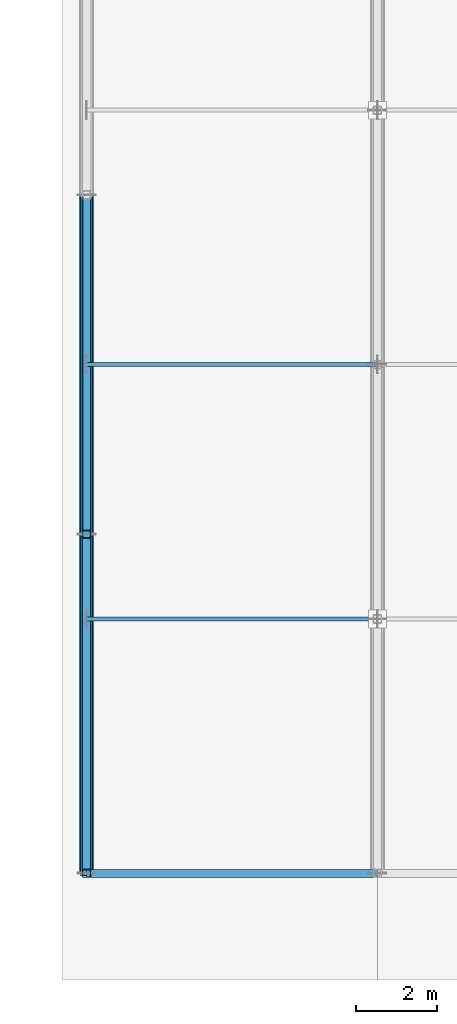
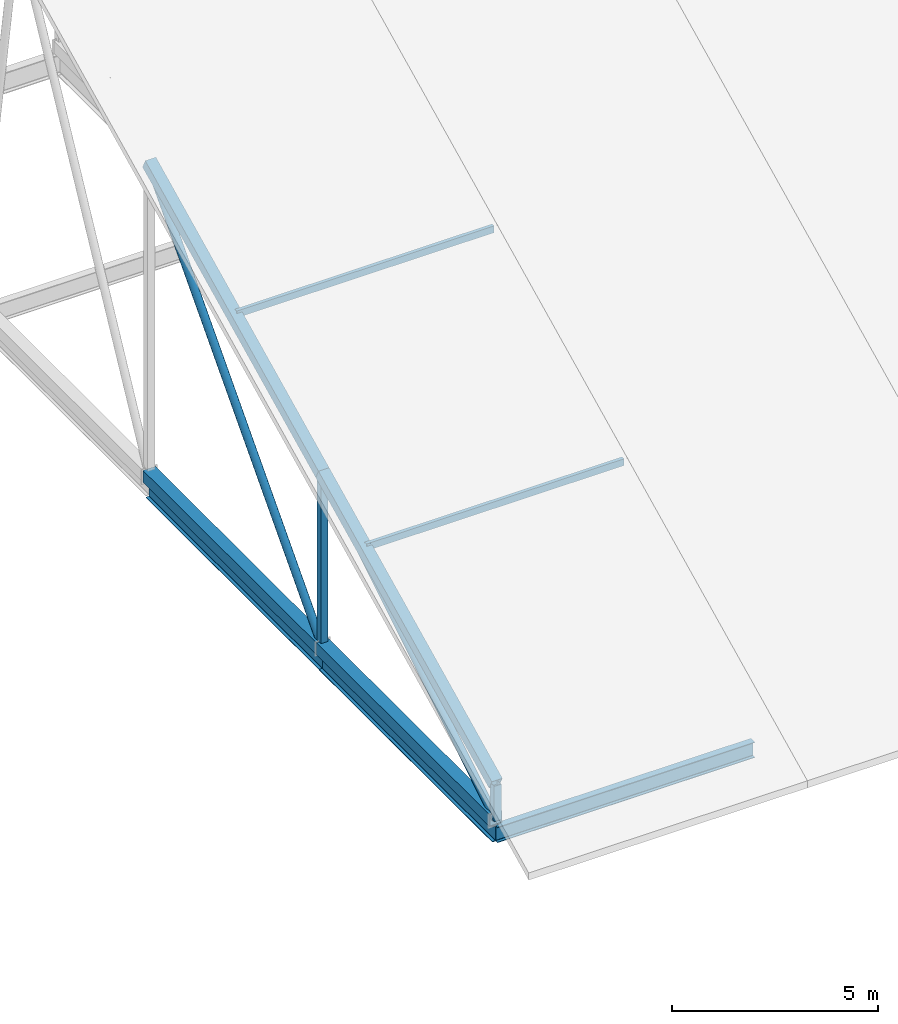
# One storey, part 18 of 99: 10 members, 3 beams.
"""IFC4 building model written with IfcOpenShell, lengths in metres."""

from ifc_helpers import new_model, si_unit, direction, frame, origin, origin_2d, place, context, subcontext, project, spatial, hollow_rectangle, hollow_circle, i_section, extrude, material, material_profile, profile_set, type_object, element, save


model = new_model("IFC4")

# Units and contexts
model_context = context("Model", 3, precision=1e-05, world=origin(), true_north=direction((0.0, 1.0)))
body_context = subcontext(model_context, "Body", "Model", "MODEL_VIEW")
ifc_project = project(units=[si_unit("LENGTHUNIT", "METRE"), si_unit("AREAUNIT", "SQUARE_METRE"), si_unit("VOLUMEUNIT", "CUBIC_METRE"), si_unit("PLANEANGLEUNIT", "RADIAN"), si_unit("MASSUNIT", "GRAM", prefix="KILO")], contexts=[model_context])

# Site, building, storey
site_placement = place(None, origin())
site = spatial("IfcSite", under=ifc_project, at=site_placement, CompositionType="ELEMENT")
building_placement = place(site_placement, origin())
building = spatial("IfcBuilding", under=site, at=building_placement, Name="Qelthora Terrace Specialist Clinic", CompositionType="ELEMENT")
storey_placement = place(building_placement, frame((0.0, 0.0, 9.0)))
storey = spatial("IfcBuildingStorey", under=building, at=storey_placement, Name="L02", CompositionType="ELEMENT", Elevation=9.0)

# Beams
ifc_material = material(Name="Steel S355", Category="steel")
ifc_material_profile_1 = material_profile(ifc_material, i_section(OverallWidth=0.19091796875, OverallDepth=0.4599609375, WebThickness=0.010009765625, FlangeThickness=0.01611328125, FilletRadius=0.012939453125, at=origin_2d()), Name="W460X82")
ifc_profile_set_1 = profile_set([ifc_material_profile_1], Name="Steel S355")
beam_type_1 = type_object("IfcBeamType", Name="BM-W460X82", PredefinedType="BEAM", material=ifc_profile_set_1)
beam_1_placement = place(storey_placement, frame((57.60009765625, 8.39990234375, -0.47998046875), z_axis=(0.0, 1.0, 0.0), x_axis=(-1.0, 0.0, 0.0)))
element("IfcBeam", 1, at=beam_1_placement, inside=storey, type_object=beam_type_1, Name="Girder BMY-L02-0808", PredefinedType="BEAM", context=body_context, shape_type="SweptSolid", body=[
    extrude(i_section(OverallWidth=0.19091796875, OverallDepth=0.4599609375, WebThickness=0.010009765625, FlangeThickness=0.01611328125, FilletRadius=0.012939453125, at=origin_2d()), origin(), (0.0, 0.0, 1.0), 8.400146484375),
])
ifc_material_profile_2 = material_profile(ifc_material, i_section(OverallWidth=0.193115234375, OverallDepth=0.466064453125, WebThickness=0.011474609375, FlangeThickness=0.01904296875, FilletRadius=0.012939453125, at=origin_2d()), Name="W460X97")
ifc_profile_set_2 = profile_set([ifc_material_profile_2], Name="Steel S355")
beam_type_2 = type_object("IfcBeamType", Name="BM-W460X97", PredefinedType="BEAM", material=ifc_profile_set_2)
beam_2_placement = place(storey_placement, frame((57.60009765625, 0.0, -0.48291015625), z_axis=(0.0, 1.0, 0.0), x_axis=(-1.0, 0.0, 0.0)))
element("IfcBeam", 2, at=beam_2_placement, inside=storey, type_object=beam_type_2, Name="Girder BMY-L02-0807", PredefinedType="BEAM", context=body_context, shape_type="SweptSolid", body=[
    extrude(i_section(OverallWidth=0.193115234375, OverallDepth=0.466064453125, WebThickness=0.011474609375, FlangeThickness=0.01904296875, FilletRadius=0.012939453125, at=origin_2d()), origin(), (0.0, 0.0, 1.0), 8.39990234375),
])

# Members
ifc_material_profile_3 = material_profile(ifc_material, hollow_circle(Radius=0.109619140625, WallThickness=0.010009765625, at=origin_2d()), Name="CHS219X10")
ifc_profile_set_3 = profile_set([ifc_material_profile_3], Name="Steel S355")
member_type_1 = type_object("IfcMemberType", Name="MEM-BRACE-CHS219", PredefinedType="BRACE", material=ifc_profile_set_3)
member_1_placement = place(storey_placement, frame((57.60009765625, 0.0, -0.050048828125), z_axis=(0.0, 0.852828100441, 0.522191757019), x_axis=(-1.0, 0.0, 0.0)))
element("IfcMember", 3, at=member_1_placement, inside=storey, type_object=member_type_1, Name="Hall roof truss TR-1 diagonal web 1", PredefinedType="BRACE", context=body_context, shape_type="SweptSolid", body=[
    extrude(hollow_circle(Radius=0.109619140625, WallThickness=0.010009765625, at=origin_2d()), origin(), (0.0, 0.0, 1.0), 9.849365234375),
])
member_2_placement = place(storey_placement, frame((57.60009765625, 8.39990234375, -0.050048828125), z_axis=(0.0, 0.672708799827, 0.739907339223), x_axis=(-1.0, 0.0, 0.0)))
element("IfcMember", 4, at=member_2_placement, inside=storey, type_object=member_type_1, Name="Hall roof truss TR-1 diagonal web 2", PredefinedType="BRACE", context=body_context, shape_type="SweptSolid", body=[
    extrude(hollow_circle(Radius=0.109619140625, WallThickness=0.010009765625, at=origin_2d()), origin(), (0.0, 0.0, 1.0), 12.487060546875),
])
ifc_material_profile_4 = material_profile(ifc_material, hollow_rectangle(XDim=0.199951171875, YDim=0.199951171875, WallThickness=0.010009765625, at=origin_2d()), Name="HSS200X200X10")
ifc_profile_set_4 = profile_set([ifc_material_profile_4], Name="Steel S355")
member_type_2 = type_object("IfcMemberType", Name="MEM-BRACE-HSS200", PredefinedType="BRACE", material=ifc_profile_set_4)
member_3_placement = place(storey_placement, frame((57.60009765625, 0.0, -0.050048828125), z_axis=(0.0, 0.0, 1.0), x_axis=(1.0, 0.0, 0.0)))
element("IfcMember", 5, at=member_3_placement, inside=storey, type_object=member_type_2, Name="Hall roof truss TR-1 vertical web 1", PredefinedType="BRACE", context=body_context, shape_type="SweptSolid", body=[
    extrude(hollow_rectangle(XDim=0.199951171875, YDim=0.199951171875, WallThickness=0.010009765625, at=origin_2d()), origin(), (0.0, 0.0, 1.0), 1.04736328125),
])
member_4_placement = place(storey_placement, frame((57.60009765625, 8.39990234375, -0.050048828125), z_axis=(0.0, 0.0, 1.0), x_axis=(1.0, 0.0, 0.0)))
element("IfcMember", 6, at=member_4_placement, inside=storey, type_object=member_type_2, Name="Hall roof truss TR-1 vertical web 2", PredefinedType="BRACE", context=body_context, shape_type="SweptSolid", body=[
    extrude(hollow_rectangle(XDim=0.199951171875, YDim=0.199951171875, WallThickness=0.010009765625, at=origin_2d()), origin(), (0.0, 0.0, 1.0), 5.143310546875),
])
ifc_material_profile_5 = material_profile(ifc_material, hollow_rectangle(XDim=0.300048828125, YDim=0.300048828125, WallThickness=0.011962890625, at=origin_2d()), Name="HSS300X300X12")
ifc_profile_set_5 = profile_set([ifc_material_profile_5], Name="Steel S355")
member_type_3 = type_object("IfcMemberType", Name="MEM-CHORD-HSS300", PredefinedType="CHORD", material=ifc_profile_set_5)
member_5_placement = place(storey_placement, frame((57.60009765625, 0.0, 0.997314453125), z_axis=(0.0, 0.898834468171, 0.43828825997), x_axis=(-1.0, 0.0, 0.0)))
element("IfcMember", 7, at=member_5_placement, inside=storey, type_object=member_type_3, Name="Hall roof truss TR-1 top chord 1", PredefinedType="CHORD", context=body_context, shape_type="SweptSolid", body=[
    extrude(hollow_rectangle(XDim=0.300048828125, YDim=0.300048828125, WallThickness=0.011962890625, at=origin_2d()), origin(), (0.0, 0.0, 1.0), 9.34521484375),
])
member_6_placement = place(storey_placement, frame((57.60009765625, 8.39990234375, 5.09326171875), z_axis=(0.0, 0.898839486394, 0.438277968531), x_axis=(-1.0, 0.0, 0.0)))
element("IfcMember", 8, at=member_6_placement, inside=storey, type_object=member_type_3, Name="Hall roof truss TR-1 top chord 2", PredefinedType="CHORD", context=body_context, shape_type="SweptSolid", body=[
    extrude(hollow_rectangle(XDim=0.300048828125, YDim=0.300048828125, WallThickness=0.011962890625, at=origin_2d()), origin(), (0.0, 0.0, 1.0), 9.345458984375),
])
ifc_material_profile_6 = material_profile(ifc_material, hollow_rectangle(XDim=0.35009765625, YDim=0.35009765625, WallThickness=0.01611328125, at=origin_2d()), Name="HSS350X350X16")
ifc_profile_set_6 = profile_set([ifc_material_profile_6], Name="Steel S355")
member_type_4 = type_object("IfcMemberType", Name="MEM-CHORD-HSS350", PredefinedType="CHORD", material=ifc_profile_set_6)
member_7_placement = place(storey_placement, frame((57.60009765625, 0.0, -0.050048828125), z_axis=(0.0, 1.0, 0.0), x_axis=(-1.0, 0.0, 0.0)))
element("IfcMember", 9, at=member_7_placement, inside=storey, type_object=member_type_4, Name="Hall roof truss TR-1 bottom chord 1", PredefinedType="CHORD", context=body_context, shape_type="SweptSolid", body=[
    extrude(hollow_rectangle(XDim=0.35009765625, YDim=0.35009765625, WallThickness=0.01611328125, at=origin_2d()), origin(), (0.0, 0.0, 1.0), 8.39990234375),
])
member_8_placement = place(storey_placement, frame((57.60009765625, 8.39990234375, -0.050048828125), z_axis=(0.0, 1.0, 0.0), x_axis=(-1.0, 0.0, 0.0)))
element("IfcMember", 10, at=member_8_placement, inside=storey, type_object=member_type_4, Name="Hall roof truss TR-1 bottom chord 2", PredefinedType="CHORD", context=body_context, shape_type="SweptSolid", body=[
    extrude(hollow_rectangle(XDim=0.35009765625, YDim=0.35009765625, WallThickness=0.01611328125, at=origin_2d()), origin(), (0.0, 0.0, 1.0), 8.400146484375),
])
ifc_material_profile_7 = material_profile(ifc_material, hollow_rectangle(XDim=0.10009765625, YDim=0.199951171875, WallThickness=0.008056640625, at=origin_2d()), Name="HSS200X100X8")
ifc_profile_set_7 = profile_set([ifc_material_profile_7], Name="Steel S355")
member_type_5 = type_object("IfcMemberType", Name="MEM-PURLIN-HSS200", PredefinedType="PURLIN", material=ifc_profile_set_7)
for number, where, z_axis, x_axis, name in (
    (11, (57.60009765625, 6.300048828125, 4.185302734375), (1.0, 0.0, 0.0), (0.0, 1.0, 0.0), "Hall roof purlin V1-PRL-001"),
    (12, (57.60009765625, 12.60009765625, 7.25732421875), (1.0, 0.0, 0.0), (0.0, 1.0, 0.0), "Hall roof purlin V1-PRL-006"),
):
    element("IfcMember", number, at=place(storey_placement, frame(where, z_axis=z_axis, x_axis=x_axis)), inside=storey, type_object=member_type_5, Name=name, PredefinedType="PURLIN", context=body_context, shape_type="SweptSolid", body=[
        extrude(hollow_rectangle(XDim=0.10009765625, YDim=0.199951171875, WallThickness=0.008056640625, at=origin_2d()), origin(), (0.0, 0.0, 1.0), 7.199951171875),
    ])

# Beam
ifc_material_profile_8 = material_profile(ifc_material, i_section(OverallWidth=0.19091796875, OverallDepth=0.4599609375, WebThickness=0.010009765625, FlangeThickness=0.01611328125, FilletRadius=0.012939453125, at=origin_2d()), Name="W460X82")
ifc_profile_set_8 = profile_set([ifc_material_profile_8], Name="Steel S355")
beam_type_3 = type_object("IfcBeamType", Name="SPD-W460X82", PredefinedType="SPANDREL", material=ifc_profile_set_8)
beam_3_placement = place(storey_placement, frame((57.60009765625, 0.0, -0.47998046875), z_axis=(1.0, 0.0, 0.0), x_axis=(0.0, 1.0, 0.0)))
element("IfcBeam", 13, at=beam_3_placement, inside=storey, type_object=beam_type_3, Name="Girder BMX-L02-0556", PredefinedType="SPANDREL", context=body_context, shape_type="SweptSolid", body=[
    extrude(i_section(OverallWidth=0.19091796875, OverallDepth=0.4599609375, WebThickness=0.010009765625, FlangeThickness=0.01611328125, FilletRadius=0.012939453125, at=origin_2d()), origin(), (0.0, 0.0, 1.0), 7.199951171875),
])

save(model, "model.ifc")
